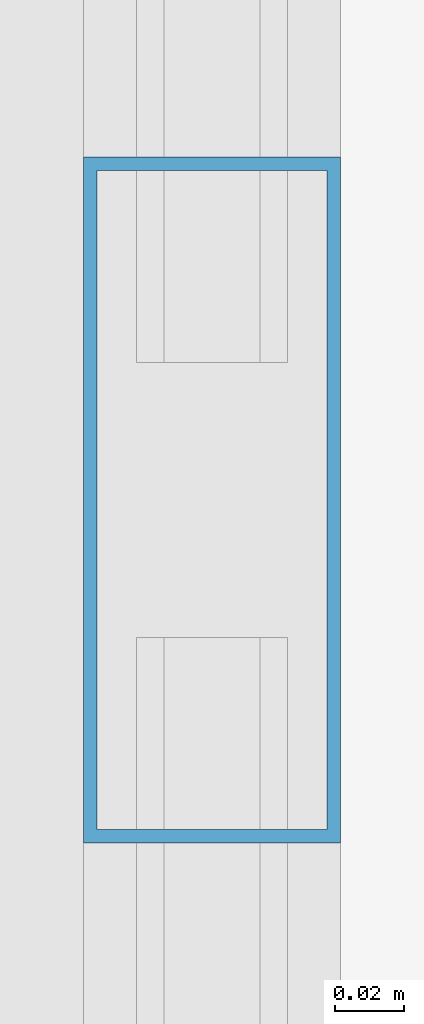
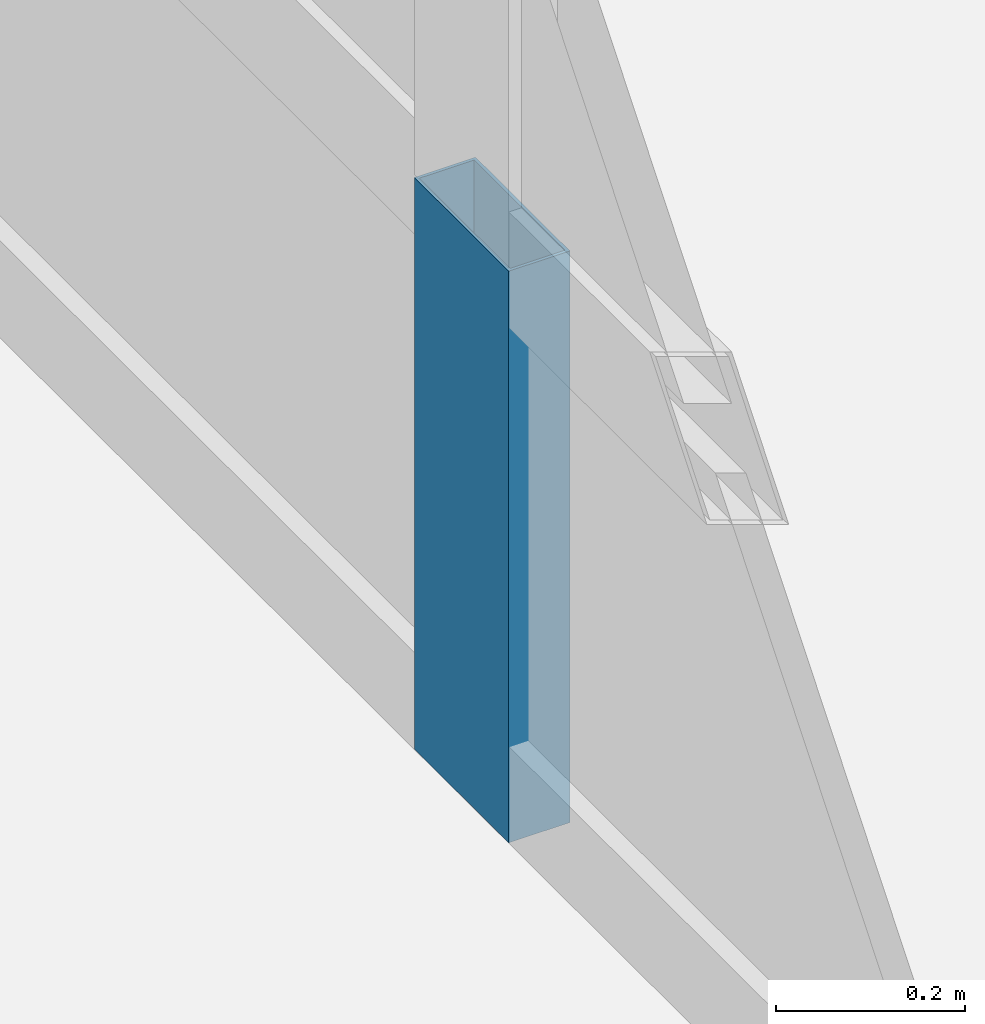
# One storey, part 22 of 35: 1 member, 1 element without a shape of its own.
"""IFC4 building model written with IfcOpenShell, lengths in metres."""

from ifc_helpers import new_model, si_unit, direction, frame, origin, origin_2d, place, context, subcontext, project, spatial, hollow_rectangle, extrude, source, transform, mapped, material, layer, layer_set, material_profile, profile_set, type_object, element, aggregate, save


model = new_model("IFC4")

# Units and contexts
model_context = context("Model", 3, precision=1e-05, world=origin(), true_north=direction((0.0, 1.0)))
body_context = subcontext(model_context, "Body", "Model", "MODEL_VIEW")
ifc_project = project(units=[si_unit("LENGTHUNIT", "METRE"), si_unit("AREAUNIT", "SQUARE_METRE"), si_unit("VOLUMEUNIT", "CUBIC_METRE"), si_unit("PLANEANGLEUNIT", "RADIAN"), si_unit("MASSUNIT", "GRAM", prefix="KILO"), si_unit("THERMODYNAMICTEMPERATUREUNIT", "KELVIN"), si_unit("POWERUNIT", "WATT")], contexts=[model_context])

# Site, building, storey
site_placement = place(None, origin())
site = spatial("IfcSite", under=ifc_project, at=site_placement, CompositionType="ELEMENT")
building_placement = place(site_placement, origin())
building = spatial("IfcBuilding", under=site, at=building_placement, Name="Yuzanri Waterfront Tower", CompositionType="ELEMENT")
storey_placement = place(building_placement, frame((0.0, 0.0, 303.10009765625)))
storey = spatial("IfcBuildingStorey", under=building, at=storey_placement, Name="L81", CompositionType="ELEMENT", Elevation=303.10009765625)

# Curtain wall, member
ifc_material_1 = material(Name="Anodized Architectural Bronze", Category="metal")
ifc_layer = layer(ifc_material_1, 0.159912109375)
ifc_layer_set = layer_set([ifc_layer], Name="Anodized Architectural Bronze")
curtain_wall_type = type_object("IfcCurtainWallType", Name="Anodized Bronze High-Rise Penthouse High-Wind Unitized Curtain Wall 6900", PredefinedType="NOTDEFINED", material=ifc_layer_set)
curtain_wall_placement = place(storey_placement, origin())
curtain_wall = element("IfcCurtainWall", 1, at=curtain_wall_placement, inside=storey, type_object=curtain_wall_type, Name="L81 Curtain Wall CW-L81-WL", PredefinedType="NOTDEFINED")
ifc_material_2 = material(Name="Anodized Architectural Bronze", Category="metal")
ifc_material_profile = material_profile(ifc_material_2, hollow_rectangle(XDim=0.074951171875, YDim=0.199951171875, WallThickness=0.00390625, at=origin_2d()), Name="CWM 75x200")
ifc_profile_set = profile_set([ifc_material_profile], Name="Anodized Architectural Bronze")
member_type = type_object("IfcMemberType", Name="Anodized Bronze Primary Curtain-Wall Mullion 75x200", PredefinedType="MULLION", material=ifc_profile_set)
shared_shape = source(origin(), body_context, "Body", "SweptSolid", [
    extrude(hollow_rectangle(XDim=0.074951171875, YDim=0.199951171875, WallThickness=0.00390625, at=origin_2d()), origin(), (0.0, 0.0, 1.0), 0.739013671875),
])
member_placement = place(storey_placement, frame((18.050048828125, 19.75, 0.0), z_axis=(0.0, 0.0, 1.0), x_axis=(1.0, 0.0, 0.0)))
member = element("IfcMember", 2, at=member_placement, type_object=member_type, Name="CW-L81-WL Lower Mullion 01", PredefinedType="MULLION", context=body_context, shape_type="MappedRepresentation", body=[
    mapped(shared_shape, transform((0.0, 0.0, 0.0), scale=1.0)),
])
aggregate(curtain_wall, [member])

save(model, "model.ifc")
